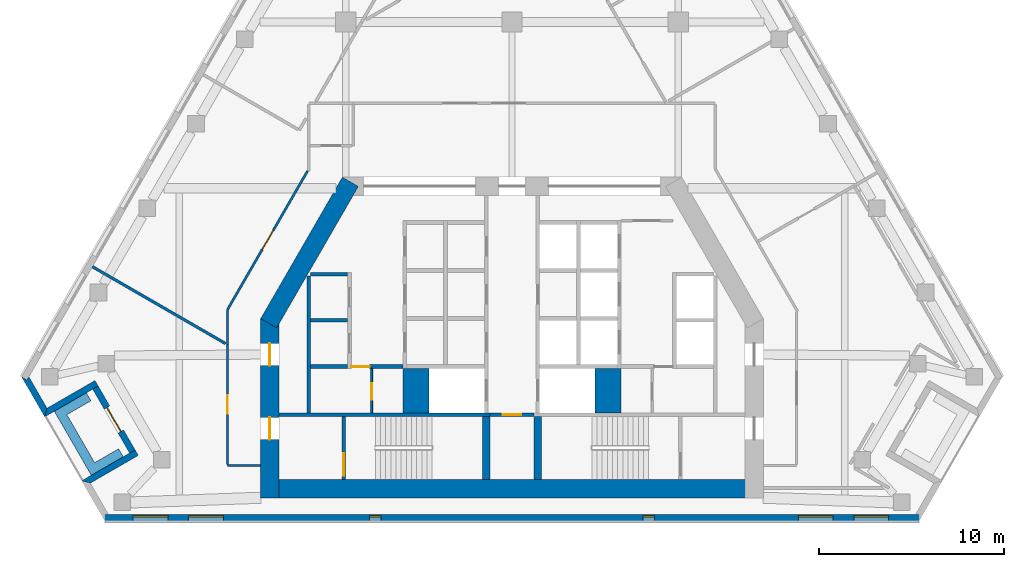
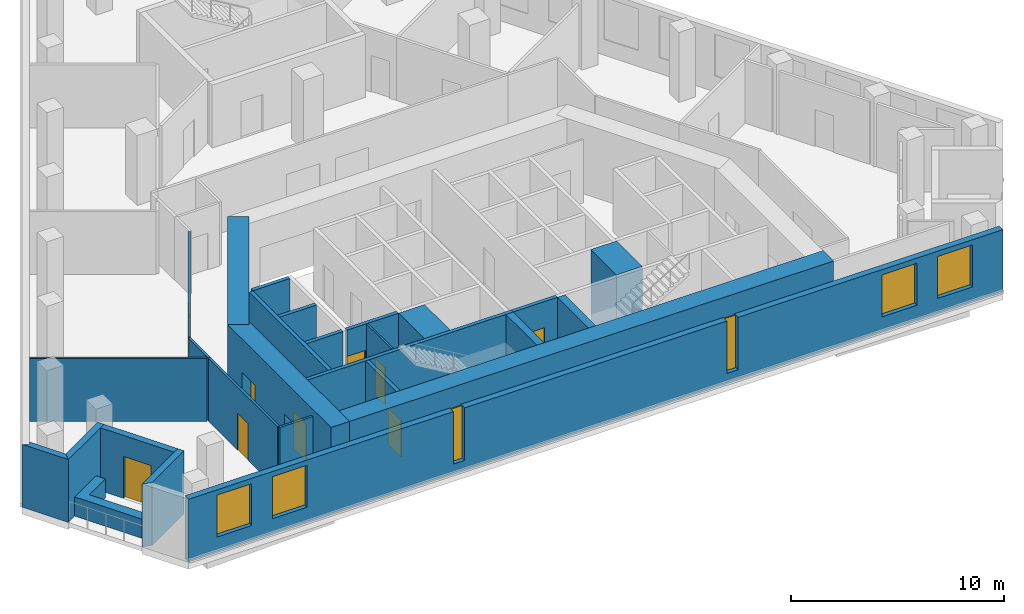
# One storey, part 2 of 8: 27 walls, 9 doors, 6 windows, 15 openings.
"""IFC4 building model written with IfcOpenShell, lengths in metres."""

import ifcopenshell
import ifcopenshell.guid

model = None  # the IFC model being written
_history = None  # IfcOwnerHistory: only IFC2X3 demands one
_inside = {}  # id of a spatial element -> (the spatial element, [elements in it])
_under = {}  # id of a project, library or spatial element -> (it, [spatial elements below it])
_declared = {}  # id of a project -> (the project, [libraries it declares])
_typed = {}  # id of a type object -> (the type object, [elements of that type])
_made_of = {}  # id of a material, layer set ... -> (it, [elements and type objects made of it])


def new_model(schema):
    """Start an empty IFC model of exactly this schema.

    Asked for "IFC4X3", IfcOpenShell would pick the latest addendum, in which some entities
    have other attributes; the version numbers below select the first issue.
    IFC2X3 requires an IfcOwnerHistory on every rooted entity: one is made here for all.
    """
    global model, _history
    if schema == "IFC4X3":
        model = ifcopenshell.file(schema_version=(4, 3, 0, 0))
    else:
        model = ifcopenshell.file(schema=schema)
    _inside.clear()
    _under.clear()
    _declared.clear()
    _typed.clear()
    _made_of.clear()
    _history = None
    if model.schema == "IFC2X3":
        org = make("IfcOrganization", Name="unknown")
        user = make(
            "IfcPersonAndOrganization",
            ThePerson=make("IfcPerson", FamilyName="unknown"),
            TheOrganization=org,
        )
        app = make(
            "IfcApplication",
            ApplicationDeveloper=org,
            Version="unknown",
            ApplicationFullName="unknown",
            ApplicationIdentifier="unknown",
        )
        _history = make(
            "IfcOwnerHistory",
            OwningUser=user,
            OwningApplication=app,
            ChangeAction="ADDED",
            CreationDate=0,
        )
    return model


def make(cls, **values):
    """One entity of the class cls with the attributes given. An attribute that is None is left unset."""
    return model.create_entity(
        cls, **{name: value for name, value in values.items() if value is not None}
    )


def rooted(cls, **values):
    """An entity with a GlobalId (a new one), such as an element, a storey or a relation."""
    return make(cls, GlobalId=ifcopenshell.guid.new(), OwnerHistory=_history, **values)


def si_unit(unit_type, name, prefix=None):
    """IfcSIUnit, for example si_unit("LENGTHUNIT", "METRE", prefix="MILLI")."""
    return make("IfcSIUnit", UnitType=unit_type, Prefix=prefix, Name=name)


def assignment(units):
    """IfcUnitAssignment: the units of a project."""
    return None if units is None else make("IfcUnitAssignment", Units=units)


def point(xyz):
    """IfcCartesianPoint."""
    return None if xyz is None else make("IfcCartesianPoint", Coordinates=xyz)


def direction(xyz):
    """IfcDirection."""
    return None if xyz is None else make("IfcDirection", DirectionRatios=xyz)


def frame(location, z_axis=None, x_axis=None):
    """IfcAxis2Placement3D, a coordinate frame: its origin and axes. An axis left out is left unset."""
    return make(
        "IfcAxis2Placement3D",
        Location=point(location),
        Axis=direction(z_axis),
        RefDirection=direction(x_axis),
    )


def frame_2d(location, x_axis=None):
    """IfcAxis2Placement2D, a coordinate frame in the plane: its origin and x axis."""
    return make(
        "IfcAxis2Placement2D", Location=point(location), RefDirection=direction(x_axis)
    )


def origin():
    """The frame at (0, 0, 0) with its axes left unset."""
    return frame((0.0, 0.0, 0.0))


def place(relative_to, where):
    """IfcLocalPlacement: puts the frame where relative to a parent placement (None: the world)."""
    return make(
        "IfcLocalPlacement", PlacementRelTo=relative_to, RelativePlacement=where
    )


def context(
    kind, dimensions, precision=None, world=None, true_north=None, identifier=None
):
    """IfcGeometricRepresentationContext, for example the 3D "Model" context."""
    return make(
        "IfcGeometricRepresentationContext",
        ContextIdentifier=identifier,
        ContextType=kind,
        CoordinateSpaceDimension=dimensions,
        Precision=precision,
        WorldCoordinateSystem=world,
        TrueNorth=true_north,
    )


def subcontext(parent, identifier, kind, view, scale=None):
    """IfcGeometricRepresentationSubContext, for example "Body" below "Model"."""
    return make(
        "IfcGeometricRepresentationSubContext",
        ContextIdentifier=identifier,
        ContextType=kind,
        ParentContext=parent,
        TargetScale=scale,
        TargetView=view,
    )


def project(units=None, contexts=None):
    """IfcProject with its units and contexts."""
    return rooted(
        "IfcProject",
        Name="project",
        RepresentationContexts=contexts,
        UnitsInContext=assignment(units),
    )


def spatial(cls, under=None, at=None, **own):
    """A site, building, storey or space (cls), placed at a placement, below another one or the project."""
    s = rooted(cls, ObjectPlacement=at, **own)
    if under is not None:
        _under.setdefault(under.id(), (under, []))[1].append(s)
    return s


def polyline(points):
    """IfcPolyline through the points."""
    return make("IfcPolyline", Points=[point(p) for p in points])


def profile(cls, at=None, kind="AREA", **sizes):
    """A parametric profile (cls). Its sizes go by their IFC names, for example OverallWidth=200.0."""
    return make(cls, ProfileType=kind, Position=at, **sizes)


def rectangle(**sizes):
    """IfcRectangleProfileDef."""
    return profile("IfcRectangleProfileDef", **sizes)


def outline(outer, holes=None, kind="AREA"):
    """IfcArbitraryClosedProfileDef: a profile drawn as a closed curve; with holes, ...WithVoids."""
    if holes is None:
        return make("IfcArbitraryClosedProfileDef", ProfileType=kind, OuterCurve=outer)
    return make(
        "IfcArbitraryProfileDefWithVoids",
        ProfileType=kind,
        OuterCurve=outer,
        InnerCurves=holes,
    )


def extrude(swept, where, along, depth):
    """IfcExtrudedAreaSolid: the profile swept, set in the frame where, extruded along a direction by depth."""
    return make(
        "IfcExtrudedAreaSolid",
        SweptArea=swept,
        Position=where,
        ExtrudedDirection=direction(along),
        Depth=depth,
    )


def shape(context_of_items, identifier, shape_type, items):
    """IfcShapeRepresentation: the items that make up one representation, for example the "Body"."""
    return make(
        "IfcShapeRepresentation",
        ContextOfItems=context_of_items,
        RepresentationIdentifier=identifier,
        RepresentationType=shape_type,
        Items=items,
    )


def material(Name=None, Category=None):
    """IfcMaterial."""
    return make("IfcMaterial", Name=Name, Category=Category)


def layer(
    of_material, thickness, ventilated=None, Name=None, Category=None, Priority=None
):
    """IfcMaterialLayer: one layer of a wall or slab, of a material (None: an air gap)."""
    return make(
        "IfcMaterialLayer",
        Material=of_material,
        LayerThickness=thickness,
        IsVentilated=ventilated,
        Name=Name,
        Category=Category,
        Priority=Priority,
    )


def layer_set(layers, Name=None):
    """IfcMaterialLayerSet."""
    return make("IfcMaterialLayerSet", MaterialLayers=layers, LayerSetName=Name)


def made_of(thing, what):
    """Note that an element or type object is made of a material, layer set ...; save() writes the relation."""
    if what is not None:
        _made_of.setdefault(what.id(), (what, []))[1].append(thing)
    return thing


def type_object(cls, material=None, **own):
    """A type object (cls), such as IfcWallType, which elements share."""
    return made_of(rooted(cls, **own), material)


def element(
    cls,
    number,
    at=None,
    inside=None,
    cuts=None,
    type_object=None,
    material=None,
    context=None,
    identifier="Body",
    shape_type=None,
    held_by="IfcProductDefinitionShape",
    body=None,
    shapes=None,
    **own,
):
    """One element of the class cls, such as IfcWall. Its Tag is "e" and its number.

    at: its placement. inside: the storey or other place that contains it. cuts: it is an
    opening in that element (IfcRelVoidsElement). A single representation is given by context,
    identifier, shape_type and body (its items); several are given by shapes. held_by: the class
    of the entity that holds the representations. save() writes the other relations.
    """
    e = rooted(cls, Tag="e%d" % number, ObjectPlacement=at, **own)
    if body is not None:
        shapes = [shape(context, identifier, shape_type, body)]
    if shapes is not None:
        e.Representation = make(held_by, Representations=shapes)
    if inside is not None:
        _inside.setdefault(inside.id(), (inside, []))[1].append(e)
    if cuts is not None:
        rooted(
            "IfcRelVoidsElement", RelatingBuildingElement=cuts, RelatedOpeningElement=e
        )
    if type_object is not None:
        _typed.setdefault(type_object.id(), (type_object, []))[1].append(e)
    return made_of(e, material)


def fill(opening, filler):
    """IfcRelFillsElement: the door or window that sits in an opening."""
    return rooted(
        "IfcRelFillsElement",
        RelatingOpeningElement=opening,
        RelatedBuildingElement=filler,
    )


def aggregate(whole, parts):
    """IfcRelAggregates: a whole, such as a stair, and the parts it consists of."""
    return rooted("IfcRelAggregates", RelatingObject=whole, RelatedObjects=parts)


def save(model, path):
    """Write the relations noted so far, then the file.

    IfcRelAggregates (storeys below a building ...), IfcRelContainedInSpatialStructure (elements
    in a storey), IfcRelDefinesByType, IfcRelAssociatesMaterial and IfcRelDeclares: one each for
    every whole, place, type object, material and project.
    """
    for whole, parts in _under.values():
        aggregate(whole, parts)
    for where, things in _inside.values():
        rooted(
            "IfcRelContainedInSpatialStructure",
            RelatedElements=things,
            RelatingStructure=where,
        )
    for kind, things in _typed.values():
        rooted("IfcRelDefinesByType", RelatedObjects=things, RelatingType=kind)
    for what, things in _made_of.values():
        rooted("IfcRelAssociatesMaterial", RelatedObjects=things, RelatingMaterial=what)
    for by, libraries in _declared.values():
        rooted("IfcRelDeclares", RelatingContext=by, RelatedDefinitions=libraries)
    model.write(path)


model = new_model("IFC4")

# Units and contexts
model_context = context("Model", 3, precision=1e-05, world=origin(), true_north=direction((0.0, 1.0)))
body_context = subcontext(model_context, "Body", "Model", "MODEL_VIEW")
ifc_project = project(units=[si_unit("LENGTHUNIT", "METRE"), si_unit("AREAUNIT", "SQUARE_METRE"), si_unit("VOLUMEUNIT", "CUBIC_METRE"), si_unit("PLANEANGLEUNIT", "RADIAN"), si_unit("MASSUNIT", "GRAM", prefix="KILO")], contexts=[model_context])

# Site, building, storey
site_placement = place(None, origin())
site = spatial("IfcSite", under=ifc_project, at=site_placement, CompositionType="ELEMENT")
building_placement = place(site_placement, origin())
building = spatial("IfcBuilding", under=site, at=building_placement, Name="Fogline Exchange Tower", CompositionType="ELEMENT")
storey_placement = place(building_placement, frame((0.0, 0.0, 235.5)))
storey = spatial("IfcBuildingStorey", under=building, at=storey_placement, Name="L53", CompositionType="ELEMENT", Elevation=235.5)

# Wall, opening, door
ifc_material_1 = material(Name="Blockwork partition", Category="masonry")
ifc_layer_1 = layer(ifc_material_1, 0.10009765625)
ifc_layer_set_1 = layer_set([ifc_layer_1], Name="CW10")
wall_type_1 = type_object("IfcWallType", Name="CW10", PredefinedType="PARTITIONING", material=ifc_layer_set_1)
wall_1_placement = place(storey_placement, frame((-7.60009765625, 5.85009765625, 0.0), z_axis=(0.0, 0.0, 1.0), x_axis=(0.0, 1.0, 0.0)))
wall_1 = element("IfcWall", 1, at=wall_1_placement, inside=storey, type_object=wall_type_1, Name="WC partition", PredefinedType="PARTITIONING", context=body_context, shape_type="SweptSolid", body=[
    extrude(rectangle(XDim=2.39990234375, YDim=0.10009765625, at=frame_2d((1.199951171875, 0.0))), origin(), (0.0, 0.0, 1.0), 3.60009765625),
])
opening_1_placement = place(wall_1_placement, frame((0.699951171875, 0.0, 0.0)))
opening_1 = element("IfcOpeningElement", 2, at=opening_1_placement, cuts=wall_1, Name="Opening T17-C012", PredefinedType="OPENING", context=body_context, shape_type="SweptSolid", body=[
    extrude(rectangle(XDim=0.89990234375, YDim=2.10009765625, at=frame_2d((0.449951171875, 1.050048828125))), frame((0.0, 0.06005859375, 0.0), z_axis=(0.0, -1.0, 0.0), x_axis=(1.0, 0.0, 0.0)), (0.0, 0.0, 1.0), 0.1201171875),
])
ifc_material_2 = material(Name="Steel and timber fire door", Category="steel")
door_type_1 = type_object("IfcDoorType", Name="D-CS1", OperationType="SINGLE_SWING_RIGHT", PredefinedType="DOOR", material=ifc_material_2)
door_1_placement = place(opening_1_placement, frame((0.89990234375, 0.0, 0.0), z_axis=(0.0, 0.0, 1.0), x_axis=(-1.0, 0.0, 0.0)))
door_1 = element("IfcDoor", 3, at=door_1_placement, inside=storey, type_object=door_type_1, Name="Door to Cleaner's Store", OperationType="SINGLE_SWING_RIGHT", OverallHeight=2.10009765625, OverallWidth=0.89990234375, PredefinedType="DOOR", context=body_context, shape_type="SweptSolid", body=[
    extrude(rectangle(XDim=0.89990234375, YDim=2.10009765625, at=frame_2d((0.449951171875, 1.050048828125))), frame((0.0, 0.02490234375, 0.0), z_axis=(0.0, -1.0, 0.0), x_axis=(1.0, 0.0, 0.0)), (0.0, 0.0, 1.0), 0.050048828125),
])
fill(opening_1, door_1)

# Walls
ifc_material_3 = material(Name="Concrete C60", Category="concrete")
ifc_layer_2 = layer(ifc_material_3, 1.39990234375)
ifc_layer_set_2 = layer_set([ifc_layer_2], Name="CW140")
wall_type_2 = type_object("IfcWallType", Name="CW140", PredefinedType="SOLIDWALL", material=ifc_layer_set_2)
for number, where, z_axis, x_axis, name in (
    (4, (-5.199951171875, 5.85009765625, -0.39990234375), (0.0, 0.0, 1.0), (0.0, 1.0, 0.0), "Lift shaft block wall"),
    (5, (5.199951171875, 5.85009765625, -0.39990234375), (0.0, 0.0, 1.0), (0.0, 1.0, 0.0), "Lift shaft block wall"),
):
    element("IfcWall", number, at=place(storey_placement, frame(where, z_axis=z_axis, x_axis=x_axis)), inside=storey, type_object=wall_type_2, Name=name, PredefinedType="SOLIDWALL", context=body_context, shape_type="SweptSolid", body=[
        extrude(rectangle(XDim=2.39990234375, YDim=1.39990234375, at=frame_2d((1.199951171875, 0.0))), origin(), (0.0, 0.0, 1.0), 4.0),
    ])
ifc_material_4 = material(Name="Concrete C40", Category="concrete")
ifc_layer_3 = layer(ifc_material_4, 0.199951171875)
ifc_layer_set_3 = layer_set([ifc_layer_3], Name="CW20")
wall_type_3 = type_object("IfcWallType", Name="CW20", PredefinedType="SOLIDWALL", material=ifc_layer_set_3)
wall_2_placement = place(storey_placement, frame((-11.0, 5.85009765625, 0.0), z_axis=(0.0, 0.0, 1.0), x_axis=(0.0, 1.0, 0.0)))
element("IfcWall", 6, at=wall_2_placement, inside=storey, type_object=wall_type_3, Name="Service room wall", PredefinedType="SOLIDWALL", context=body_context, shape_type="SweptSolid", body=[
    extrude(rectangle(XDim=7.39990234375, YDim=0.199951171875, at=frame_2d((3.699951171875, 0.0))), origin(), (0.0, 0.0, 1.0), 3.60009765625),
])
wall_3_placement = place(storey_placement, frame((-10.89990234375, 10.85009765625, 0.0), z_axis=(0.0, 0.0, 1.0), x_axis=(1.0, 0.0, 0.0)))
element("IfcWall", 7, at=wall_3_placement, inside=storey, type_object=wall_type_3, Name="Service room wall", PredefinedType="SOLIDWALL", context=body_context, shape_type="SweptSolid", body=[
    extrude(rectangle(XDim=2.0, YDim=0.199951171875, at=frame_2d((1.0, 0.0))), origin(), (0.0, 0.0, 1.0), 3.60009765625),
])

# Wall, opening, door
wall_4_placement = place(storey_placement, frame((-8.699951171875, 8.35009765625, 0.0), z_axis=(0.0, 0.0, 1.0), x_axis=(1.0, 0.0, 0.0)))
wall_4 = element("IfcWall", 8, at=wall_4_placement, inside=storey, type_object=wall_type_3, Name="WC wall", PredefinedType="SOLIDWALL", context=body_context, shape_type="SweptSolid", body=[
    extrude(rectangle(XDim=2.800048828125, YDim=0.199951171875, at=frame_2d((1.39990234375, 0.0))), origin(), (0.0, 0.0, 1.0), 3.60009765625),
])
opening_2_placement = place(wall_4_placement, origin())
opening_2 = element("IfcOpeningElement", 9, at=opening_2_placement, cuts=wall_4, Name="Opening T17-C011", PredefinedType="OPENING", context=body_context, shape_type="SweptSolid", body=[
    extrude(rectangle(XDim=1.0, YDim=2.10009765625, at=frame_2d((0.5, 1.050048828125))), frame((0.0, 0.10986328125, 0.0), z_axis=(0.0, -1.0, 0.0), x_axis=(1.0, 0.0, 0.0)), (0.0, 0.0, 1.0), 0.219970703125),
])
door_type_2 = type_object("IfcDoorType", Name="D-WC1", OperationType="SINGLE_SWING_LEFT", PredefinedType="DOOR", material=ifc_material_2)
door_2_placement = place(opening_2_placement, frame((1.0, 0.0, 0.0), z_axis=(0.0, 0.0, 1.0), x_axis=(-1.0, 0.0, 0.0)))
door_2 = element("IfcDoor", 10, at=door_2_placement, inside=storey, type_object=door_type_2, Name="Door to Men's WC", OperationType="SINGLE_SWING_LEFT", OverallHeight=2.10009765625, OverallWidth=1.0, PredefinedType="DOOR", context=body_context, shape_type="SweptSolid", body=[
    extrude(rectangle(XDim=1.0, YDim=2.10009765625, at=frame_2d((0.5, 1.050048828125))), frame((0.0, 0.02490234375, 0.0), z_axis=(0.0, -1.0, 0.0), x_axis=(1.0, 0.0, 0.0)), (0.0, 0.0, 1.0), 0.050048828125),
])
fill(opening_2, door_2)

# Wall
ifc_layer_4 = layer(ifc_material_4, 0.199951171875)
ifc_layer_set_4 = layer_set([ifc_layer_4], Name="CW20R")
wall_type_4 = type_object("IfcWallType", Name="CW20R", PredefinedType="SOLIDWALL", material=ifc_layer_set_4)
wall_5_placement = place(storey_placement, frame((-12.60009765625, 5.75, -0.39990234375), z_axis=(0.0, 0.0, 1.0), x_axis=(1.0, 0.0, 0.0)))
element("IfcWall", 11, at=wall_5_placement, inside=storey, type_object=wall_type_4, Name="Stair enclosure wall", PredefinedType="SOLIDWALL", context=body_context, shape_type="SweptSolid", body=[
    extrude(rectangle(XDim=11.400146484375, YDim=0.199951171875, at=frame_2d((5.7001953125, 0.0))), origin(), (0.0, 0.0, 1.0), 4.0),
])

# Wall, opening, door
wall_6_placement = place(storey_placement, frame((-1.199951171875, 5.75, -0.39990234375), z_axis=(0.0, 0.0, 1.0), x_axis=(1.0, 0.0, 0.0)))
wall_6 = element("IfcWall", 12, at=wall_6_placement, inside=storey, type_object=wall_type_4, Name="Stair enclosure wall", PredefinedType="SOLIDWALL", context=body_context, shape_type="SweptSolid", body=[
    extrude(rectangle(XDim=2.39990234375, YDim=0.199951171875, at=frame_2d((1.199951171875, 0.0))), origin(), (0.0, 0.0, 1.0), 4.0),
])
opening_3_placement = place(wall_6_placement, frame((0.699951171875, 0.0, 0.39990234375)))
opening_3 = element("IfcOpeningElement", 13, at=opening_3_placement, cuts=wall_6, Name="Opening T17-C010", PredefinedType="OPENING", context=body_context, shape_type="SweptSolid", body=[
    extrude(rectangle(XDim=1.0, YDim=2.10009765625, at=frame_2d((0.5, 1.050048828125))), frame((0.0, 0.10986328125, 0.0), z_axis=(0.0, -1.0, 0.0), x_axis=(1.0, 0.0, 0.0)), (0.0, 0.0, 1.0), 0.219970703125),
])
door_type_3 = type_object("IfcDoorType", Name="D-RM1", OperationType="SINGLE_SWING_LEFT", PredefinedType="DOOR", material=ifc_material_2)
door_3_placement = place(opening_3_placement, frame((1.0, 0.0, 0.0), z_axis=(0.0, 0.0, 1.0), x_axis=(-1.0, 0.0, 0.0)))
door_3 = element("IfcDoor", 14, at=door_3_placement, inside=storey, type_object=door_type_3, Name="Door to Plant Room", OperationType="SINGLE_SWING_RIGHT", OverallHeight=2.10009765625, OverallWidth=1.0, PredefinedType="DOOR", context=body_context, shape_type="SweptSolid", body=[
    extrude(rectangle(XDim=1.0, YDim=2.10009765625, at=frame_2d((0.5, 1.050048828125))), frame((0.0, 0.02490234375, 0.0), z_axis=(0.0, -1.0, 0.0), x_axis=(1.0, 0.0, 0.0)), (0.0, 0.0, 1.0), 0.050048828125),
])
fill(opening_3, door_3)

wall_7_placement = place(storey_placement, frame((-9.10009765625, 2.25, -0.39990234375), z_axis=(0.0, 0.0, 1.0), x_axis=(0.0, 1.0, 0.0)))
wall_7 = element("IfcWall", 15, at=wall_7_placement, inside=storey, type_object=wall_type_4, Name="Stair enclosure wall", PredefinedType="SOLIDWALL", context=body_context, shape_type="SweptSolid", body=[
    extrude(rectangle(XDim=3.39990234375, YDim=0.199951171875, at=frame_2d((1.699951171875, 0.0))), origin(), (0.0, 0.0, 1.0), 4.0),
])
opening_4_placement = place(wall_7_placement, frame((0.199951171875, 0.0, 0.39990234375)))
opening_4 = element("IfcOpeningElement", 16, at=opening_4_placement, cuts=wall_7, Name="Opening T17-C014", PredefinedType="OPENING", context=body_context, shape_type="SweptSolid", body=[
    extrude(rectangle(XDim=1.199951171875, YDim=2.10009765625, at=frame_2d((0.60009765625, 1.050048828125))), frame((0.0, 0.10986328125, 0.0), z_axis=(0.0, -1.0, 0.0), x_axis=(1.0, 0.0, 0.0)), (0.0, 0.0, 1.0), 0.219970703125),
])
door_type_4 = type_object("IfcDoorType", Name="D-ST1", OperationType="SINGLE_SWING_LEFT", PredefinedType="DOOR", material=ifc_material_2)
door_4_placement = place(opening_4_placement, frame((1.199951171875, 0.0, 0.0), z_axis=(0.0, 0.0, 1.0), x_axis=(-1.0, 0.0, 0.0)))
door_4 = element("IfcDoor", 17, at=door_4_placement, inside=storey, type_object=door_type_4, Name="Stair door ST1", OperationType="SINGLE_SWING_RIGHT", OverallHeight=2.10009765625, OverallWidth=1.199951171875, PredefinedType="DOOR", context=body_context, shape_type="SweptSolid", body=[
    extrude(rectangle(XDim=1.199951171875, YDim=2.10009765625, at=frame_2d((0.60009765625, 1.050048828125))), frame((0.0, 0.02490234375, 0.0), z_axis=(0.0, -1.0, 0.0), x_axis=(1.0, 0.0, 0.0)), (0.0, 0.0, 1.0), 0.050048828125),
])
fill(opening_4, door_4)

# Walls
ifc_layer_5 = layer(ifc_material_4, 0.199951171875)
ifc_layer_set_5 = layer_set([ifc_layer_5], Name="CW20S")
wall_type_5 = type_object("IfcWallType", Name="CW20S", PredefinedType="SOLIDWALL", material=ifc_layer_set_5)
for number, where, z_axis, x_axis, name in (
    (18, (-10.89990234375, 8.35009765625, -0.39990234375), (0.0, 0.0, 1.0), (1.0, 0.0, 0.0), "Lift shaft wall"),
    (19, (-10.89990234375, 13.35009765625, -0.39990234375), (0.0, 0.0, 1.0), (1.0, 0.0, 0.0), "Lift shaft wall"),
):
    element("IfcWall", number, at=place(storey_placement, frame(where, z_axis=z_axis, x_axis=x_axis)), inside=storey, type_object=wall_type_5, Name=name, PredefinedType="SOLIDWALL", context=body_context, shape_type="SweptSolid", body=[
        extrude(rectangle(XDim=2.0, YDim=0.199951171875, at=frame_2d((1.0, 0.0))), origin(), (0.0, 0.0, 1.0), 4.0),
    ])
ifc_layer_6 = layer(ifc_material_4, 0.39990234375)
ifc_layer_set_6 = layer_set([ifc_layer_6], Name="CW40R")
wall_type_6 = type_object("IfcWallType", Name="CW40R", PredefinedType="SOLIDWALL", material=ifc_layer_set_6)
for number, where, z_axis, x_axis, name in (
    (20, (-1.39990234375, 2.25, -0.39990234375), (0.0, 0.0, 1.0), (0.0, 1.0, 0.0), "Stair and lift shaft wall"),
    (21, (1.39990234375, 2.25, -0.39990234375), (0.0, 0.0, 1.0), (0.0, 1.0, 0.0), "Stair and lift shaft wall"),
):
    element("IfcWall", number, at=place(storey_placement, frame(where, z_axis=z_axis, x_axis=x_axis)), inside=storey, type_object=wall_type_6, Name=name, PredefinedType="SOLIDWALL", context=body_context, shape_type="SweptSolid", body=[
        extrude(rectangle(XDim=3.39990234375, YDim=0.39990234375, at=frame_2d((1.699951171875, 0.0))), origin(), (0.0, 0.0, 1.0), 4.0),
    ])
ifc_material_5 = material(Name="Brick masonry", Category="masonry")
ifc_layer_7 = layer(ifc_material_5, 0.340087890625)
ifc_layer_set_7 = layer_set([ifc_layer_7], Name="FW1")
wall_type_7 = type_object("IfcWallType", Name="FW1", PredefinedType="SOLIDWALL", material=ifc_layer_set_7)
wall_8_placement = place(storey_placement, origin())
element("IfcWall", 22, at=wall_8_placement, inside=storey, type_object=wall_type_7, Name="Brick wall L53 SW-c1", PredefinedType="SOLIDWALL", context=body_context, shape_type="SweptSolid", body=[
    extrude(outline(polyline([(-25.291748046875, 5.6279296875), (-26.542724609375, 7.794921875), (-26.54248046875, 7.79541015625), (-26.24755859375, 7.625), (-26.149169921875, 7.79541015625), (-25.166748046875, 6.09375), (-25.29150390625, 5.6279296875), (-25.291748046875, 5.6279296875)])), origin(), (0.0, 0.0, 1.0), 3.60009765625),
])
wall_9_placement = place(storey_placement, origin())
element("IfcWall", 23, at=wall_9_placement, inside=storey, type_object=wall_type_7, Name="Brick wall L53 SW-s1", PredefinedType="SOLIDWALL", context=body_context, shape_type="SweptSolid", body=[
    extrude(outline(polyline([(-22.569091796875, 7.594482421875), (-22.3984375, 7.298828125), (-22.693359375, 7.128662109375), (-25.292236328125, 5.628173828125), (-25.29248046875, 5.62841796875), (-25.167724609375, 6.093994140625), (-22.569091796875, 7.594482421875)])), origin(), (0.0, 0.0, 1.0), 3.60009765625),
])

# Wall, opening, door
wall_10_placement = place(storey_placement, frame((-22.54638671875, 7.214111328125, 0.0), z_axis=(0.0, 0.0, 1.0), x_axis=(0.49999894854, -0.866026010844, 0.0)))
wall_10 = element("IfcWall", 24, at=wall_10_placement, inside=storey, type_object=wall_type_7, Name="Brick wall L53 SW-bk", PredefinedType="SOLIDWALL", context=body_context, shape_type="SweptSolid", body=[
    extrude(rectangle(XDim=4.0, YDim=0.340087890625, at=frame_2d((2.0, 0.0))), origin(), (0.0, 0.0, 1.0), 3.60009765625),
])
opening_5_placement = place(wall_10_placement, frame((1.25, 0.0, 0.0)))
opening_5 = element("IfcOpeningElement", 25, at=opening_5_placement, cuts=wall_10, Name="Opening T17-E021", PredefinedType="OPENING", context=body_context, shape_type="SweptSolid", body=[
    extrude(rectangle(XDim=1.5, YDim=2.39990234375, at=frame_2d((0.75, 1.199951171875))), frame((0.0, 0.18017578125, 0.0), z_axis=(0.0, -1.0, 0.0), x_axis=(1.0, 0.0, 0.0)), (0.0, 0.0, 1.0), 0.360107421875),
])
ifc_material_6 = material(Name="Aluminium and glass", Category="aluminium")
door_type_5 = type_object("IfcDoorType", Name="ED4", OperationType="SINGLE_SWING_LEFT", PredefinedType="DOOR", material=ifc_material_6)
door_5_placement = place(opening_5_placement, frame((1.5, 0.0, 0.0), z_axis=(0.0, 0.0, 1.0), x_axis=(-1.0, 0.0, 0.0)))
door_5 = element("IfcDoor", 26, at=door_5_placement, inside=storey, type_object=door_type_5, Name="Balcony door L53 SW", OperationType="DOUBLE_DOOR_SINGLE_SWING", OverallHeight=2.39990234375, OverallWidth=1.5, PredefinedType="DOOR", context=body_context, shape_type="SweptSolid", body=[
    extrude(rectangle(XDim=1.5, YDim=2.39990234375, at=frame_2d((0.75, 1.199951171875))), frame((0.0, 0.02490234375, 0.0), z_axis=(0.0, -1.0, 0.0), x_axis=(1.0, 0.0, 0.0)), (0.0, 0.0, 1.0), 0.050048828125),
])
fill(opening_5, door_5)

# Wall
wall_11_placement = place(storey_placement, origin())
element("IfcWall", 27, at=wall_11_placement, inside=storey, type_object=wall_type_7, Name="Brick wall L53 SW-s2", PredefinedType="SOLIDWALL", context=body_context, shape_type="SweptSolid", body=[
    extrude(outline(polyline([(-23.29296875, 2.1650390625), (-20.694091796875, 3.66552734375), (-20.39892578125, 3.8359375), (-20.228515625, 3.540283203125), (-22.8271484375, 2.0400390625), (-23.29296875, 2.164794921875), (-23.29296875, 2.1650390625)])), origin(), (0.0, 0.0, 1.0), 3.60009765625),
])

# Wall, openings, windows
wall_12_placement = place(storey_placement, frame((-22.041748046875, 0.169921875, 0.0), z_axis=(0.0, 0.0, 1.0), x_axis=(1.0, 0.0, 0.0)))
wall_12 = element("IfcWall", 28, at=wall_12_placement, inside=storey, type_object=wall_type_7, Name="Brick wall L53 S", PredefinedType="SOLIDWALL", context=body_context, shape_type="SweptSolid", body=[
    extrude(rectangle(XDim=44.08349609375, YDim=0.340087890625, at=frame_2d((22.041748046875, 0.0))), origin(), (0.0, 0.0, 1.0), 3.60009765625),
])
opening_6_placement = place(wall_12_placement, frame((1.541748046875, 0.0, 0.89990234375)))
opening_6 = element("IfcOpeningElement", 29, at=opening_6_placement, cuts=wall_12, Name="Opening W1", PredefinedType="OPENING", context=body_context, shape_type="SweptSolid", body=[
    extrude(rectangle(XDim=1.885009765625, YDim=2.39990234375, at=frame_2d((0.9423828125, 1.199951171875))), frame((0.0, 0.18017578125, 0.0), z_axis=(0.0, -1.0, 0.0), x_axis=(1.0, 0.0, 0.0)), (0.0, 0.0, 1.0), 0.360107421875),
])
opening_7_placement = place(wall_12_placement, frame((4.541748046875, 0.0, 0.89990234375)))
opening_7 = element("IfcOpeningElement", 30, at=opening_7_placement, cuts=wall_12, Name="Opening W1", PredefinedType="OPENING", context=body_context, shape_type="SweptSolid", body=[
    extrude(rectangle(XDim=1.885009765625, YDim=2.39990234375, at=frame_2d((0.9423828125, 1.199951171875))), frame((0.0, 0.18017578125, 0.0), z_axis=(0.0, -1.0, 0.0), x_axis=(1.0, 0.0, 0.0)), (0.0, 0.0, 1.0), 0.360107421875),
])
opening_8_placement = place(wall_12_placement, frame((37.541748046875, 0.0, 0.89990234375)))
opening_8 = element("IfcOpeningElement", 31, at=opening_8_placement, cuts=wall_12, Name="Opening W1", PredefinedType="OPENING", context=body_context, shape_type="SweptSolid", body=[
    extrude(rectangle(XDim=1.885009765625, YDim=2.39990234375, at=frame_2d((0.9423828125, 1.199951171875))), frame((0.0, 0.18017578125, 0.0), z_axis=(0.0, -1.0, 0.0), x_axis=(1.0, 0.0, 0.0)), (0.0, 0.0, 1.0), 0.360107421875),
])
opening_9_placement = place(wall_12_placement, frame((40.541748046875, 0.0, 0.89990234375)))
opening_9 = element("IfcOpeningElement", 32, at=opening_9_placement, cuts=wall_12, Name="Opening W1", PredefinedType="OPENING", context=body_context, shape_type="SweptSolid", body=[
    extrude(rectangle(XDim=1.885009765625, YDim=2.39990234375, at=frame_2d((0.9423828125, 1.199951171875))), frame((0.0, 0.18017578125, 0.0), z_axis=(0.0, -1.0, 0.0), x_axis=(1.0, 0.0, 0.0)), (0.0, 0.0, 1.0), 0.360107421875),
])
opening_10_placement = place(wall_12_placement, frame((14.341796875, 0.0, 0.60009765625)))
opening_10 = element("IfcOpeningElement", 33, at=opening_10_placement, cuts=wall_12, Name="Opening W5", PredefinedType="OPENING", context=body_context, shape_type="SweptSolid", body=[
    extrude(rectangle(XDim=0.60009765625, YDim=3.0, at=frame_2d((0.300048828125, 1.5))), frame((0.0, 0.18017578125, 0.0), z_axis=(0.0, -1.0, 0.0), x_axis=(1.0, 0.0, 0.0)), (0.0, 0.0, 1.0), 0.360107421875),
])
opening_11_placement = place(wall_12_placement, frame((29.141845703125, 0.0, 0.60009765625)))
opening_11 = element("IfcOpeningElement", 34, at=opening_11_placement, cuts=wall_12, Name="Opening W5", PredefinedType="OPENING", context=body_context, shape_type="SweptSolid", body=[
    extrude(rectangle(XDim=0.60009765625, YDim=3.0, at=frame_2d((0.300048828125, 1.5))), frame((0.0, 0.18017578125, 0.0), z_axis=(0.0, -1.0, 0.0), x_axis=(1.0, 0.0, 0.0)), (0.0, 0.0, 1.0), 0.360107421875),
])
window_type_1 = type_object("IfcWindowType", Name="W1", PartitioningType="SINGLE_PANEL", PredefinedType="WINDOW", material=ifc_material_6)
window_1_placement = place(opening_6_placement, origin())
window_1 = element("IfcWindow", 35, at=window_1_placement, inside=storey, type_object=window_type_1, Name="W1 W1", OverallHeight=2.39990234375, OverallWidth=1.885009765625, PartitioningType="SINGLE_PANEL", PredefinedType="WINDOW", context=body_context, shape_type="SweptSolid", body=[
    extrude(rectangle(XDim=1.885009765625, YDim=2.39990234375, at=frame_2d((0.9423828125, 1.199951171875))), frame((0.0, 0.110107421875, 0.0), z_axis=(0.0, -1.0, 0.0), x_axis=(1.0, 0.0, 0.0)), (0.0, 0.0, 1.0), 0.06005859375),
])
fill(opening_6, window_1)
window_2_placement = place(opening_7_placement, origin())
window_2 = element("IfcWindow", 36, at=window_2_placement, inside=storey, type_object=window_type_1, Name="W1 W1", OverallHeight=2.39990234375, OverallWidth=1.885009765625, PartitioningType="SINGLE_PANEL", PredefinedType="WINDOW", context=body_context, shape_type="SweptSolid", body=[
    extrude(rectangle(XDim=1.885009765625, YDim=2.39990234375, at=frame_2d((0.9423828125, 1.199951171875))), frame((0.0, 0.110107421875, 0.0), z_axis=(0.0, -1.0, 0.0), x_axis=(1.0, 0.0, 0.0)), (0.0, 0.0, 1.0), 0.06005859375),
])
fill(opening_7, window_2)
window_3_placement = place(opening_8_placement, origin())
window_3 = element("IfcWindow", 37, at=window_3_placement, inside=storey, type_object=window_type_1, Name="W1 W1", OverallHeight=2.39990234375, OverallWidth=1.885009765625, PartitioningType="SINGLE_PANEL", PredefinedType="WINDOW", context=body_context, shape_type="SweptSolid", body=[
    extrude(rectangle(XDim=1.885009765625, YDim=2.39990234375, at=frame_2d((0.9423828125, 1.199951171875))), frame((0.0, 0.110107421875, 0.0), z_axis=(0.0, -1.0, 0.0), x_axis=(1.0, 0.0, 0.0)), (0.0, 0.0, 1.0), 0.06005859375),
])
fill(opening_8, window_3)
window_4_placement = place(opening_9_placement, origin())
window_4 = element("IfcWindow", 38, at=window_4_placement, inside=storey, type_object=window_type_1, Name="W1 W1", OverallHeight=2.39990234375, OverallWidth=1.885009765625, PartitioningType="SINGLE_PANEL", PredefinedType="WINDOW", context=body_context, shape_type="SweptSolid", body=[
    extrude(rectangle(XDim=1.885009765625, YDim=2.39990234375, at=frame_2d((0.9423828125, 1.199951171875))), frame((0.0, 0.110107421875, 0.0), z_axis=(0.0, -1.0, 0.0), x_axis=(1.0, 0.0, 0.0)), (0.0, 0.0, 1.0), 0.06005859375),
])
fill(opening_9, window_4)
window_type_2 = type_object("IfcWindowType", Name="W5", PartitioningType="SINGLE_PANEL", PredefinedType="WINDOW", material=ifc_material_6)
window_5_placement = place(opening_10_placement, origin())
window_5 = element("IfcWindow", 39, at=window_5_placement, inside=storey, type_object=window_type_2, Name="W5 W5", OverallHeight=3.0, OverallWidth=0.60009765625, PartitioningType="SINGLE_PANEL", PredefinedType="WINDOW", context=body_context, shape_type="SweptSolid", body=[
    extrude(rectangle(XDim=0.60009765625, YDim=3.0, at=frame_2d((0.300048828125, 1.5))), frame((0.0, 0.110107421875, 0.0), z_axis=(0.0, -1.0, 0.0), x_axis=(1.0, 0.0, 0.0)), (0.0, 0.0, 1.0), 0.06005859375),
])
fill(opening_10, window_5)
window_6_placement = place(opening_11_placement, origin())
window_6 = element("IfcWindow", 40, at=window_6_placement, inside=storey, type_object=window_type_2, Name="W5 W5", OverallHeight=3.0, OverallWidth=0.60009765625, PartitioningType="SINGLE_PANEL", PredefinedType="WINDOW", context=body_context, shape_type="SweptSolid", body=[
    extrude(rectangle(XDim=0.60009765625, YDim=3.0, at=frame_2d((0.300048828125, 1.5))), frame((0.0, 0.110107421875, 0.0), z_axis=(0.0, -1.0, 0.0), x_axis=(1.0, 0.0, 0.0)), (0.0, 0.0, 1.0), 0.06005859375),
])
fill(opening_11, window_6)

# Walls
ifc_material_7 = material(Name="Concrete C30", Category="concrete")
ifc_layer_8 = layer(ifc_material_7, 0.199951171875)
ifc_layer_set_8 = layer_set([ifc_layer_8], Name="PL1")
wall_type_8 = type_object("IfcWallType", Name="PL1", PredefinedType="USERDEFINED", material=ifc_layer_set_8)
wall_13_placement = place(storey_placement, origin())
element("IfcWall", 41, at=wall_13_placement, inside=storey, type_object=wall_type_8, Name="PLANTER balcony L53 SW", ObjectType="PLANTER", PredefinedType="USERDEFINED", context=body_context, shape_type="SweptSolid", body=[
    extrude(outline(polyline([(-21.2900390625, 3.898193359375), (-22.589111328125, 3.148193359375), (-24.089111328125, 5.74609375), (-22.7900390625, 6.49609375), (-23.0400390625, 6.92919921875), (-24.772216796875, 5.92919921875), (-24.522216796875, 5.49609375), (-22.772216796875, 2.465087890625), (-22.339111328125, 2.715087890625), (-22.339111328125, 2.715087890625), (-21.0400390625, 3.465087890625), (-21.2900390625, 3.898193359375)])), origin(), (0.0, 0.0, 1.0), 1.10009765625),
])
ifc_material_8 = material(Name="Plasterboard corridor partition with mineral wool, 2 layers each side")
ifc_layer_9 = layer(ifc_material_8, 0.125)
ifc_layer_set_9 = layer_set([ifc_layer_9], Name="PW2")
wall_type_9 = type_object("IfcWallType", Name="PW2", PredefinedType="PARTITIONING", material=ifc_layer_set_9)
wall_14_placement = place(storey_placement, frame((-15.39990234375, 9.534912109375, 0.0), z_axis=(0.0, 0.0, 1.0), x_axis=(0.0, 1.0, 0.0)))
element("IfcWall", 42, at=wall_14_placement, inside=storey, type_object=wall_type_9, Name="wall-L53-W011", PredefinedType="PARTITIONING", context=body_context, shape_type="SweptSolid", body=[
    extrude(rectangle(XDim=1.892822265625, YDim=0.125, at=frame_2d((0.9462890625, 0.0))), origin(), (0.0, 0.0, 1.0), 3.60009765625),
])

# Wall, opening, door
wall_15_placement = place(storey_placement, frame((-15.384521484375, 11.454833984375, 0.0), z_axis=(0.0, 0.0, 1.0), x_axis=(0.500018289754, 0.866014843933, 0.0)))
wall_15 = element("IfcWall", 43, at=wall_15_placement, inside=storey, type_object=wall_type_9, Name="wall-L53-W012", PredefinedType="PARTITIONING", context=body_context, shape_type="SweptSolid", body=[
    extrude(rectangle(XDim=8.643798828125, YDim=0.125, at=frame_2d((4.32177734375, 0.0))), origin(), (0.0, 0.0, 1.0), 3.60009765625),
])
opening_12_placement = place(wall_15_placement, frame((3.721923828125, 0.0, 0.0)))
opening_12 = element("IfcOpeningElement", 44, at=opening_12_placement, cuts=wall_15, Name="Opening T17-D005", PredefinedType="OPENING", context=body_context, shape_type="SweptSolid", body=[
    extrude(rectangle(XDim=1.199951171875, YDim=2.10009765625, at=frame_2d((0.60009765625, 1.050048828125))), frame((0.0, 0.072509765625, 0.0), z_axis=(0.0, -1.0, 0.0), x_axis=(1.0, 0.0, 0.0)), (0.0, 0.0, 1.0), 0.14501953125),
])
ifc_material_9 = material(Name="Fire-rated glazed door leaf with steel frame", Category="steel")
door_type_6 = type_object("IfcDoorType", Name="D5", OperationType="SINGLE_SWING_LEFT", PredefinedType="DOOR", material=ifc_material_9)
door_6_placement = place(opening_12_placement, origin())
door_6 = element("IfcDoor", 45, at=door_6_placement, inside=storey, type_object=door_type_6, Name="door-L53-D005", OperationType="SINGLE_SWING_RIGHT", OverallHeight=2.10009765625, OverallWidth=1.199951171875, PredefinedType="DOOR", context=body_context, shape_type="SweptSolid", body=[
    extrude(rectangle(XDim=1.199951171875, YDim=2.10009765625, at=frame_2d((0.60009765625, 1.050048828125))), frame((0.0, 0.02490234375, 0.0), z_axis=(0.0, -1.0, 0.0), x_axis=(1.0, 0.0, 0.0)), (0.0, 0.0, 1.0), 0.050048828125),
])
fill(opening_12, door_6)

# Wall
wall_16_placement = place(storey_placement, frame((-13.60009765625, 3.0, 0.0), z_axis=(0.0, 0.0, 1.0), x_axis=(-1.0, 0.0, 0.0)))
element("IfcWall", 46, at=wall_16_placement, inside=storey, type_object=wall_type_9, Name="wall-L53-W013", PredefinedType="PARTITIONING", context=body_context, shape_type="SweptSolid", body=[
    extrude(rectangle(XDim=1.7998046875, YDim=0.125, at=frame_2d((0.89990234375, 0.0))), origin(), (0.0, 0.0, 1.0), 3.60009765625),
])

# Wall, opening, door
wall_17_placement = place(storey_placement, frame((-15.39990234375, 3.0625, 0.0), z_axis=(0.0, 0.0, 1.0), x_axis=(0.0, 1.0, 0.0)))
wall_17 = element("IfcWall", 47, at=wall_17_placement, inside=storey, type_object=wall_type_9, Name="wall-L53-W014", PredefinedType="PARTITIONING", context=body_context, shape_type="SweptSolid", body=[
    extrude(rectangle(XDim=6.472412109375, YDim=0.125, at=frame_2d((3.236328125, 0.0))), origin(), (0.0, 0.0, 1.0), 3.60009765625),
])
opening_13_placement = place(wall_17_placement, frame((2.736083984375, 0.0, 0.0)))
opening_13 = element("IfcOpeningElement", 48, at=opening_13_placement, cuts=wall_17, Name="Opening T17-D006", PredefinedType="OPENING", context=body_context, shape_type="SweptSolid", body=[
    extrude(rectangle(XDim=1.0, YDim=2.10009765625, at=frame_2d((0.5, 1.050048828125))), frame((0.0, 0.072509765625, 0.0), z_axis=(0.0, -1.0, 0.0), x_axis=(1.0, 0.0, 0.0)), (0.0, 0.0, 1.0), 0.14501953125),
])
ifc_material_10 = material(Name="Fire-rated timber door leaf with steel frame", Category="steel")
door_type_7 = type_object("IfcDoorType", Name="D3", OperationType="SINGLE_SWING_LEFT", PredefinedType="DOOR", material=ifc_material_10)
door_7_placement = place(opening_13_placement, origin())
door_7 = element("IfcDoor", 49, at=door_7_placement, inside=storey, type_object=door_type_7, Name="door-L53-D006", OperationType="SINGLE_SWING_LEFT", OverallHeight=2.10009765625, OverallWidth=1.0, PredefinedType="DOOR", context=body_context, shape_type="SweptSolid", body=[
    extrude(rectangle(XDim=1.0, YDim=2.10009765625, at=frame_2d((0.5, 1.050048828125))), frame((0.0, 0.02490234375, 0.0), z_axis=(0.0, -1.0, 0.0), x_axis=(1.0, 0.0, 0.0)), (0.0, 0.0, 1.0), 0.050048828125),
])
fill(opening_13, door_7)

# Walls
ifc_material_11 = material(Name="Plasterboard demising partition with mineral wool and acoustic board")
ifc_layer_10 = layer(ifc_material_11, 0.14990234375)
ifc_layer_set_10 = layer_set([ifc_layer_10], Name="PW3")
wall_type_10 = type_object("IfcWallType", Name="PW3", PredefinedType="PARTITIONING", material=ifc_layer_set_10)
wall_18_placement = place(storey_placement, frame((-15.50048828125, 9.593017578125, 0.0), z_axis=(0.0, 0.0, 1.0), x_axis=(-0.866019492669, 0.500010238213, 0.0)))
element("IfcWall", 50, at=wall_18_placement, inside=storey, type_object=wall_type_10, Name="wall-L53-W034", PredefinedType="PARTITIONING", context=body_context, shape_type="SweptSolid", body=[
    extrude(rectangle(XDim=8.322509765625, YDim=0.14990234375, at=frame_2d((4.1611328125, 0.0))), origin(), (0.0, 0.0, 1.0), 3.60009765625),
])
ifc_layer_11 = layer(ifc_material_3, 1.0)
ifc_layer_set_11 = layer_set([ifc_layer_11], Name="SW03")
wall_type_11 = type_object("IfcWallType", Name="SW03", PredefinedType="SHEAR", material=ifc_layer_set_11)
wall_19_placement = place(storey_placement, frame((-13.60009765625, 1.75, 0.0), z_axis=(0.0, 0.0, 1.0), x_axis=(1.0, 0.0, 0.0)))
element("IfcWall", 51, at=wall_19_placement, inside=storey, type_object=wall_type_11, Name="L53-W901", PredefinedType="SHEAR", context=body_context, shape_type="SweptSolid", body=[
    extrude(rectangle(XDim=27.2001953125, YDim=1.0, at=frame_2d((13.60009765625, 0.0))), origin(), (0.0, 0.0, 1.0), 4.0),
])
wall_20_placement = place(storey_placement, frame((-8.74755859375, 18.35009765625, 0.0), z_axis=(0.0, 0.0, 1.0), x_axis=(-0.499995021168, -0.866028278295, 0.0)))
element("IfcWall", 52, at=wall_20_placement, inside=storey, type_object=wall_type_11, Name="L53-W905", PredefinedType="SHEAR", context=body_context, shape_type="SweptSolid", body=[
    extrude(rectangle(XDim=8.8388671875, YDim=1.0, at=frame_2d((4.41943359375, 0.0))), origin(), (0.0, 0.0, 1.0), 4.0),
])

# Wall, openings, doors
wall_21_placement = place(storey_placement, frame((-13.10009765625, 10.9453125, 0.0), z_axis=(0.0, 0.0, 1.0), x_axis=(0.0, -1.0, 0.0)))
wall_21 = element("IfcWall", 53, at=wall_21_placement, inside=storey, type_object=wall_type_11, Name="L53-W906", PredefinedType="SHEAR", context=body_context, shape_type="SweptSolid", body=[
    extrude(rectangle(XDim=9.6953125, YDim=1.0, at=frame_2d((4.84765625, 0.0))), origin(), (0.0, 0.0, 1.0), 4.0),
])
opening_14_placement = place(wall_21_placement, frame((5.345458984375, 0.0, 0.0)))
opening_14 = element("IfcOpeningElement", 54, at=opening_14_placement, cuts=wall_21, Name="Opening T17-C013", PredefinedType="OPENING", context=body_context, shape_type="SweptSolid", body=[
    extrude(rectangle(XDim=1.199951171875, YDim=2.10009765625, at=frame_2d((0.60009765625, 1.050048828125))), frame((0.0, 0.510009765625, 0.0), z_axis=(0.0, -1.0, 0.0), x_axis=(1.0, 0.0, 0.0)), (0.0, 0.0, 1.0), 1.02001953125),
])
opening_15_placement = place(wall_21_placement, frame((1.345458984375, 0.0, 0.0)))
opening_15 = element("IfcOpeningElement", 55, at=opening_15_placement, cuts=wall_21, Name="Opening T17-C015", PredefinedType="OPENING", context=body_context, shape_type="SweptSolid", body=[
    extrude(rectangle(XDim=1.199951171875, YDim=2.10009765625, at=frame_2d((0.60009765625, 1.050048828125))), frame((0.0, 0.510009765625, 0.0), z_axis=(0.0, -1.0, 0.0), x_axis=(1.0, 0.0, 0.0)), (0.0, 0.0, 1.0), 1.02001953125),
])
door_type_8 = type_object("IfcDoorType", Name="D-FR1", OperationType="SINGLE_SWING_RIGHT", PredefinedType="DOOR", material=ifc_material_2)
door_8_placement = place(opening_14_placement, origin())
door_8 = element("IfcDoor", 56, at=door_8_placement, inside=storey, type_object=door_type_8, Name="Front room door ST1", OperationType="SINGLE_SWING_LEFT", OverallHeight=2.10009765625, OverallWidth=1.199951171875, PredefinedType="DOOR", context=body_context, shape_type="SweptSolid", body=[
    extrude(rectangle(XDim=1.199951171875, YDim=2.10009765625, at=frame_2d((0.60009765625, 1.050048828125))), frame((0.0, 0.02490234375, 0.0), z_axis=(0.0, -1.0, 0.0), x_axis=(1.0, 0.0, 0.0)), (0.0, 0.0, 1.0), 0.050048828125),
])
fill(opening_14, door_8)
door_type_9 = type_object("IfcDoorType", Name="D-SV1", OperationType="SINGLE_SWING_LEFT", PredefinedType="DOOR", material=ifc_material_2)
door_9_placement = place(opening_15_placement, origin())
door_9 = element("IfcDoor", 57, at=door_9_placement, inside=storey, type_object=door_type_9, Name="Service door W", OperationType="SINGLE_SWING_LEFT", OverallHeight=2.10009765625, OverallWidth=1.199951171875, PredefinedType="DOOR", context=body_context, shape_type="SweptSolid", body=[
    extrude(rectangle(XDim=1.199951171875, YDim=2.10009765625, at=frame_2d((0.60009765625, 1.050048828125))), frame((0.0, 0.02490234375, 0.0), z_axis=(0.0, -1.0, 0.0), x_axis=(1.0, 0.0, 0.0)), (0.0, 0.0, 1.0), 0.050048828125),
])
fill(opening_15, door_9)

save(model, "model.ifc")
